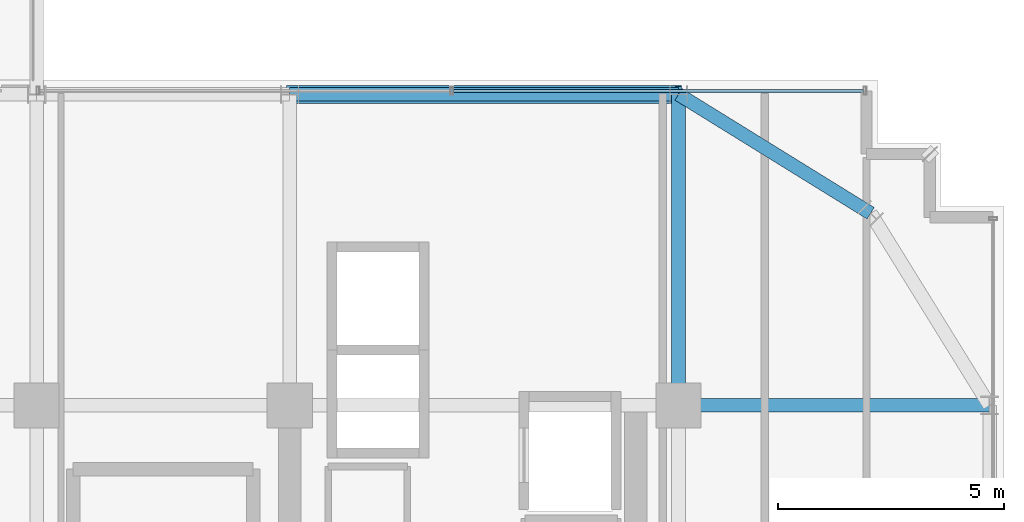
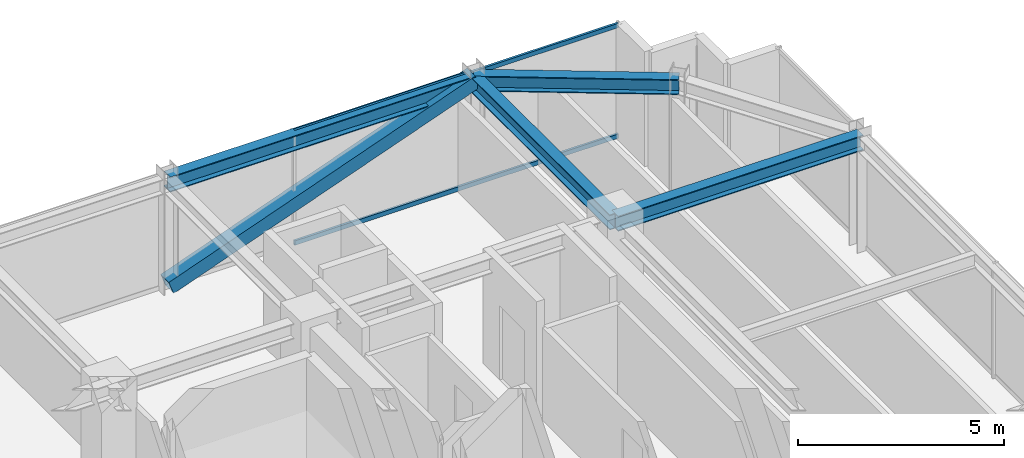
# One storey, part 25 of 41: 4 beams, 3 members, 1 element without a shape of its own.
"""IFC4 building model written with IfcOpenShell, lengths in metres."""

import ifcopenshell
import ifcopenshell.guid

model = None  # the IFC model being written
_history = None  # IfcOwnerHistory: only IFC2X3 demands one
_inside = {}  # id of a spatial element -> (the spatial element, [elements in it])
_under = {}  # id of a project, library or spatial element -> (it, [spatial elements below it])
_declared = {}  # id of a project -> (the project, [libraries it declares])
_typed = {}  # id of a type object -> (the type object, [elements of that type])
_made_of = {}  # id of a material, layer set ... -> (it, [elements and type objects made of it])


def new_model(schema):
    """Start an empty IFC model of exactly this schema.

    Asked for "IFC4X3", IfcOpenShell would pick the latest addendum, in which some entities
    have other attributes; the version numbers below select the first issue.
    IFC2X3 requires an IfcOwnerHistory on every rooted entity: one is made here for all.
    """
    global model, _history
    if schema == "IFC4X3":
        model = ifcopenshell.file(schema_version=(4, 3, 0, 0))
    else:
        model = ifcopenshell.file(schema=schema)
    _inside.clear()
    _under.clear()
    _declared.clear()
    _typed.clear()
    _made_of.clear()
    _history = None
    if model.schema == "IFC2X3":
        org = make("IfcOrganization", Name="unknown")
        user = make(
            "IfcPersonAndOrganization",
            ThePerson=make("IfcPerson", FamilyName="unknown"),
            TheOrganization=org,
        )
        app = make(
            "IfcApplication",
            ApplicationDeveloper=org,
            Version="unknown",
            ApplicationFullName="unknown",
            ApplicationIdentifier="unknown",
        )
        _history = make(
            "IfcOwnerHistory",
            OwningUser=user,
            OwningApplication=app,
            ChangeAction="ADDED",
            CreationDate=0,
        )
    return model


def make(cls, **values):
    """One entity of the class cls with the attributes given. An attribute that is None is left unset."""
    return model.create_entity(
        cls, **{name: value for name, value in values.items() if value is not None}
    )


def rooted(cls, **values):
    """An entity with a GlobalId (a new one), such as an element, a storey or a relation."""
    return make(cls, GlobalId=ifcopenshell.guid.new(), OwnerHistory=_history, **values)


def si_unit(unit_type, name, prefix=None):
    """IfcSIUnit, for example si_unit("LENGTHUNIT", "METRE", prefix="MILLI")."""
    return make("IfcSIUnit", UnitType=unit_type, Prefix=prefix, Name=name)


def assignment(units):
    """IfcUnitAssignment: the units of a project."""
    return None if units is None else make("IfcUnitAssignment", Units=units)


def point(xyz):
    """IfcCartesianPoint."""
    return None if xyz is None else make("IfcCartesianPoint", Coordinates=xyz)


def direction(xyz):
    """IfcDirection."""
    return None if xyz is None else make("IfcDirection", DirectionRatios=xyz)


def frame(location, z_axis=None, x_axis=None):
    """IfcAxis2Placement3D, a coordinate frame: its origin and axes. An axis left out is left unset."""
    return make(
        "IfcAxis2Placement3D",
        Location=point(location),
        Axis=direction(z_axis),
        RefDirection=direction(x_axis),
    )


def frame_2d(location, x_axis=None):
    """IfcAxis2Placement2D, a coordinate frame in the plane: its origin and x axis."""
    return make(
        "IfcAxis2Placement2D", Location=point(location), RefDirection=direction(x_axis)
    )


def origin():
    """The frame at (0, 0, 0) with its axes left unset."""
    return frame((0.0, 0.0, 0.0))


def origin_2d():
    """The frame at (0, 0) in the plane with its x axis left unset."""
    return frame_2d((0.0, 0.0))


def place(relative_to, where):
    """IfcLocalPlacement: puts the frame where relative to a parent placement (None: the world)."""
    return make(
        "IfcLocalPlacement", PlacementRelTo=relative_to, RelativePlacement=where
    )


def context(
    kind, dimensions, precision=None, world=None, true_north=None, identifier=None
):
    """IfcGeometricRepresentationContext, for example the 3D "Model" context."""
    return make(
        "IfcGeometricRepresentationContext",
        ContextIdentifier=identifier,
        ContextType=kind,
        CoordinateSpaceDimension=dimensions,
        Precision=precision,
        WorldCoordinateSystem=world,
        TrueNorth=true_north,
    )


def subcontext(parent, identifier, kind, view, scale=None):
    """IfcGeometricRepresentationSubContext, for example "Body" below "Model"."""
    return make(
        "IfcGeometricRepresentationSubContext",
        ContextIdentifier=identifier,
        ContextType=kind,
        ParentContext=parent,
        TargetScale=scale,
        TargetView=view,
    )


def project(units=None, contexts=None):
    """IfcProject with its units and contexts."""
    return rooted(
        "IfcProject",
        Name="project",
        RepresentationContexts=contexts,
        UnitsInContext=assignment(units),
    )


def spatial(cls, under=None, at=None, **own):
    """A site, building, storey or space (cls), placed at a placement, below another one or the project."""
    s = rooted(cls, ObjectPlacement=at, **own)
    if under is not None:
        _under.setdefault(under.id(), (under, []))[1].append(s)
    return s


def profile(cls, at=None, kind="AREA", **sizes):
    """A parametric profile (cls). Its sizes go by their IFC names, for example OverallWidth=200.0."""
    return make(cls, ProfileType=kind, Position=at, **sizes)


def hollow_rectangle(**sizes):
    """IfcRectangleHollowProfileDef."""
    return profile("IfcRectangleHollowProfileDef", **sizes)


def i_section(**sizes):
    """IfcIShapeProfileDef."""
    return profile("IfcIShapeProfileDef", **sizes)


def extrude(swept, where, along, depth):
    """IfcExtrudedAreaSolid: the profile swept, set in the frame where, extruded along a direction by depth."""
    return make(
        "IfcExtrudedAreaSolid",
        SweptArea=swept,
        Position=where,
        ExtrudedDirection=direction(along),
        Depth=depth,
    )


def shape(context_of_items, identifier, shape_type, items):
    """IfcShapeRepresentation: the items that make up one representation, for example the "Body"."""
    return make(
        "IfcShapeRepresentation",
        ContextOfItems=context_of_items,
        RepresentationIdentifier=identifier,
        RepresentationType=shape_type,
        Items=items,
    )


def source(mapping_origin, context_of_items, identifier, shape_type, items):
    """IfcRepresentationMap: a shape defined once, which mapped items show again and again."""
    return make(
        "IfcRepresentationMap",
        MappingOrigin=mapping_origin,
        MappedRepresentation=shape(context_of_items, identifier, shape_type, items),
    )


def transform(
    local_origin,
    x_axis=None,
    y_axis=None,
    z_axis=None,
    scale=None,
    scale2=None,
    scale3=None,
    uniform=True,
):
    """IfcCartesianTransformationOperator3D, or its non-uniform kind. x_axis, y_axis, z_axis: its Axis1, 2, 3."""
    if uniform:
        return make(
            "IfcCartesianTransformationOperator3D",
            Axis1=direction(x_axis),
            Axis2=direction(y_axis),
            LocalOrigin=point(local_origin),
            Scale=scale,
            Axis3=direction(z_axis),
        )
    return make(
        "IfcCartesianTransformationOperator3DnonUniform",
        Axis1=direction(x_axis),
        Axis2=direction(y_axis),
        LocalOrigin=point(local_origin),
        Scale=scale,
        Axis3=direction(z_axis),
        Scale2=scale2,
        Scale3=scale3,
    )


def mapped(mapping_source, mapping_target):
    """IfcMappedItem: shows the shape of a source again, moved by a transform."""
    return make(
        "IfcMappedItem", MappingSource=mapping_source, MappingTarget=mapping_target
    )


def material(Name=None, Category=None):
    """IfcMaterial."""
    return make("IfcMaterial", Name=Name, Category=Category)


def material_profile(
    of_material, cross_section, Name=None, Category=None, Priority=None
):
    """IfcMaterialProfile: a cross section and its material."""
    return make(
        "IfcMaterialProfile",
        Name=Name,
        Material=of_material,
        Profile=cross_section,
        Priority=Priority,
        Category=Category,
    )


def profile_set(profiles, Name=None, composite=None):
    """IfcMaterialProfileSet."""
    return make(
        "IfcMaterialProfileSet",
        Name=Name,
        MaterialProfiles=profiles,
        CompositeProfile=composite,
    )


def made_of(thing, what):
    """Note that an element or type object is made of a material, layer set ...; save() writes the relation."""
    if what is not None:
        _made_of.setdefault(what.id(), (what, []))[1].append(thing)
    return thing


def type_object(cls, material=None, **own):
    """A type object (cls), such as IfcWallType, which elements share."""
    return made_of(rooted(cls, **own), material)


def element(
    cls,
    number,
    at=None,
    inside=None,
    cuts=None,
    type_object=None,
    material=None,
    context=None,
    identifier="Body",
    shape_type=None,
    held_by="IfcProductDefinitionShape",
    body=None,
    shapes=None,
    **own,
):
    """One element of the class cls, such as IfcWall. Its Tag is "e" and its number.

    at: its placement. inside: the storey or other place that contains it. cuts: it is an
    opening in that element (IfcRelVoidsElement). A single representation is given by context,
    identifier, shape_type and body (its items); several are given by shapes. held_by: the class
    of the entity that holds the representations. save() writes the other relations.
    """
    e = rooted(cls, Tag="e%d" % number, ObjectPlacement=at, **own)
    if body is not None:
        shapes = [shape(context, identifier, shape_type, body)]
    if shapes is not None:
        e.Representation = make(held_by, Representations=shapes)
    if inside is not None:
        _inside.setdefault(inside.id(), (inside, []))[1].append(e)
    if cuts is not None:
        rooted(
            "IfcRelVoidsElement", RelatingBuildingElement=cuts, RelatedOpeningElement=e
        )
    if type_object is not None:
        _typed.setdefault(type_object.id(), (type_object, []))[1].append(e)
    return made_of(e, material)


def aggregate(whole, parts):
    """IfcRelAggregates: a whole, such as a stair, and the parts it consists of."""
    return rooted("IfcRelAggregates", RelatingObject=whole, RelatedObjects=parts)


def save(model, path):
    """Write the relations noted so far, then the file.

    IfcRelAggregates (storeys below a building ...), IfcRelContainedInSpatialStructure (elements
    in a storey), IfcRelDefinesByType, IfcRelAssociatesMaterial and IfcRelDeclares: one each for
    every whole, place, type object, material and project.
    """
    for whole, parts in _under.values():
        aggregate(whole, parts)
    for where, things in _inside.values():
        rooted(
            "IfcRelContainedInSpatialStructure",
            RelatedElements=things,
            RelatingStructure=where,
        )
    for kind, things in _typed.values():
        rooted("IfcRelDefinesByType", RelatedObjects=things, RelatingType=kind)
    for what, things in _made_of.values():
        rooted("IfcRelAssociatesMaterial", RelatedObjects=things, RelatingMaterial=what)
    for by, libraries in _declared.values():
        rooted("IfcRelDeclares", RelatingContext=by, RelatedDefinitions=libraries)
    model.write(path)


model = new_model("IFC4")

# Units and contexts
model_context = context("Model", 3, precision=1e-05, world=origin(), true_north=direction((0.0, 1.0)))
body_context = subcontext(model_context, "Body", "Model", "MODEL_VIEW")
ifc_project = project(units=[si_unit("LENGTHUNIT", "METRE"), si_unit("AREAUNIT", "SQUARE_METRE"), si_unit("VOLUMEUNIT", "CUBIC_METRE"), si_unit("PLANEANGLEUNIT", "RADIAN"), si_unit("MASSUNIT", "GRAM", prefix="KILO")], contexts=[model_context])

# Site, building, storey
site_placement = place(None, origin())
site = spatial("IfcSite", under=ifc_project, at=site_placement, CompositionType="ELEMENT")
building_placement = place(site_placement, origin())
building = spatial("IfcBuilding", under=site, at=building_placement, Name="Nahalor Promenade Grand Hotel", CompositionType="ELEMENT")
storey_placement = place(building_placement, frame((0.0, 0.0, 227.10009765625)))
storey = spatial("IfcBuildingStorey", under=building, at=storey_placement, Name="L58", CompositionType="ELEMENT", Elevation=227.10009765625)

# Beams
ifc_material_1 = material(Name="Steel S355JR", Category="steel")
ifc_material_profile_1 = material_profile(ifc_material_1, i_section(OverallWidth=0.3, OverallDepth=0.45, WebThickness=0.014, FlangeThickness=0.026, at=origin_2d()), Name="HEB 450")
ifc_profile_set_1 = profile_set([ifc_material_profile_1], Name="Steel S355JR")
beam_type_1 = type_object("IfcBeamType", Name="Beam-Spandrel-HEB450", PredefinedType="SPANDREL", material=ifc_profile_set_1)
shared_shape_1 = source(origin(), body_context, "Body", "SweptSolid", [
    extrude(i_section(OverallWidth=0.3, OverallDepth=0.45, WebThickness=0.014, FlangeThickness=0.026, at=origin_2d()), origin(), (0.0, 0.0, 1.0), 8.60009765625),
])
beam_1_placement = place(storey_placement, frame((8.39990234375, 23.8798828125, 3.184814453125), z_axis=(1.0, 0.0, 0.0), x_axis=(0.0, 1.0, 0.0)))
element("IfcBeam", 1, at=beam_1_placement, inside=storey, type_object=beam_type_1, Name="BM-L58-SP-N-4", PredefinedType="SPANDREL", context=body_context, shape_type="MappedRepresentation", body=[
    mapped(shared_shape_1, transform((0.0, 0.0, 0.0), scale=1.0)),
])
shared_shape_2 = source(origin(), body_context, "Body", "SweptSolid", [
    extrude(i_section(OverallWidth=0.3, OverallDepth=0.45, WebThickness=0.014, FlangeThickness=0.026, at=origin_2d()), origin(), (0.0, 0.0, 1.0), 4.997802734375),
])
beam_2_placement = place(storey_placement, frame((17.0, 23.8798828125, 3.184814453125), z_axis=(0.850360908404, -0.526199891161, 0.0), x_axis=(0.526199891161, 0.850360908404, 0.0)))
element("IfcBeam", 2, at=beam_2_placement, inside=storey, type_object=beam_type_1, Name="BM-L58-SPC-NE-1", PredefinedType="SPANDREL", context=body_context, shape_type="MappedRepresentation", body=[
    mapped(shared_shape_2, transform((0.0, 0.0, 0.0), scale=1.0)),
])
ifc_material_profile_2 = material_profile(ifc_material_1, i_section(OverallWidth=0.3, OverallDepth=0.45, WebThickness=0.014, FlangeThickness=0.026, at=origin_2d()), Name="HEB 450")
ifc_profile_set_2 = profile_set([ifc_material_profile_2], Name="Steel S355JR")
beam_type_2 = type_object("IfcBeamType", Name="Beam-Girder-HEB450", PredefinedType="BEAM", material=ifc_profile_set_2)
shared_shape_3 = source(origin(), body_context, "Body", "SweptSolid", [
    extrude(i_section(OverallWidth=0.3, OverallDepth=0.45, WebThickness=0.014, FlangeThickness=0.026, at=origin_2d()), origin(), (0.0, 0.0, 1.0), 6.8798828125),
])
for number, where, z_axis, x_axis, name in (
    (3, (17.0, 17.0, 3.184814453125), (1.0, 0.0, 0.0), (0.0, 1.0, 0.0), "BM-L58-GX-3-6"),
    (4, (17.0, 17.0, 3.184814453125), (0.0, 1.0, 0.0), (-1.0, 0.0, 0.0), "BM-L58-GY-5-4"),
):
    element("IfcBeam", number, at=place(storey_placement, frame(where, z_axis=z_axis, x_axis=x_axis)), inside=storey, type_object=beam_type_2, Name=name, PredefinedType="BEAM", context=body_context, shape_type="MappedRepresentation", body=[
        mapped(shared_shape_3, transform((0.0, 0.0, 0.0), scale=1.0)),
    ])

# Member
ifc_material_profile_3 = material_profile(ifc_material_1, hollow_rectangle(XDim=0.4, YDim=0.4, WallThickness=0.022, at=origin_2d()), Name="SHS 400x400x22")
ifc_profile_set_3 = profile_set([ifc_material_profile_3], Name="Steel S355JR")
member_type_1 = type_object("IfcMemberType", Name="Mem-ExoBrace-SHS400", PredefinedType="BRACE", material=ifc_profile_set_3)
shared_shape_4 = source(origin(), body_context, "Body", "SweptSolid", [
    extrude(hollow_rectangle(XDim=0.4, YDim=0.4, WallThickness=0.022, at=origin_2d()), origin(), (0.0, 0.0, 1.0), 9.145263671875),
])
member_1_placement = place(storey_placement, frame((8.39990234375, 23.8798828125, 0.14990234375), z_axis=(0.940396027132, 0.0, 0.340081331676), x_axis=(0.0, 1.0, 0.0)))
element("IfcMember", 5, at=member_1_placement, inside=storey, type_object=member_type_1, Name="EXO-L58-N-1", PredefinedType="BRACE", context=body_context, shape_type="MappedRepresentation", body=[
    mapped(shared_shape_4, transform((0.0, 0.0, 0.0), scale=1.0)),
])

# Curtain wall, members
ifc_material_2 = material(Name="Anodised Bronze Aluminium EN AW-6063 T6", Category="aluminium")
curtain_wall_type = type_object("IfcCurtainWallType", Name="CW2 Typical Hotel Flush Bronze Unitised Curtain Wall", PredefinedType="USERDEFINED", material=ifc_material_2)
curtain_wall_placement = place(storey_placement, origin())
curtain_wall = element("IfcCurtainWall", 6, at=curtain_wall_placement, inside=storey, type_object=curtain_wall_type, Name="L58 Curtain Wall CW-L58-N-3", ObjectType="UNITISED_CURTAIN_WALL", PredefinedType="USERDEFINED")
ifc_material_profile_4 = material_profile(ifc_material_2, hollow_rectangle(XDim=0.065, YDim=0.13, WallThickness=0.004, at=origin_2d()), Name="CWT 65x130x4")
ifc_profile_set_4 = profile_set([ifc_material_profile_4], Name="Anodised Bronze Aluminium EN AW-6063 T6")
member_type_2 = type_object("IfcMemberType", Name="CWT2 Typical Bronze Transom 65x130", PredefinedType="USERDEFINED", material=ifc_profile_set_4)
shared_shape_5 = source(origin(), body_context, "Body", "SweptSolid", [
    extrude(hollow_rectangle(XDim=0.065, YDim=0.13, WallThickness=0.004, at=origin_2d()), origin(), (0.0, 0.0, 1.0), 9.08251953125),
])
member_2_placement = place(storey_placement, frame((12.012451171875, 23.9599609375, 0.06494140625), z_axis=(1.0, 0.0, 0.0), x_axis=(0.0, 1.0, 0.0)))
member_2 = element("IfcMember", 7, at=member_2_placement, type_object=member_type_2, Name="CW-L58-N-3 Transom 1-0", ObjectType="TRANSOM", PredefinedType="USERDEFINED", context=body_context, shape_type="MappedRepresentation", body=[
    mapped(shared_shape_5, transform((0.0, 0.0, 0.0), scale=1.0)),
])
member_3_placement = place(storey_placement, frame((12.012451171875, 23.9599609375, 3.344970703125), z_axis=(1.0, 0.0, 0.0), x_axis=(0.0, 1.0, 0.0)))
member_3 = element("IfcMember", 8, at=member_3_placement, type_object=member_type_2, Name="CW-L58-N-3 Transom 1-1", ObjectType="TRANSOM", PredefinedType="USERDEFINED", context=body_context, shape_type="MappedRepresentation", body=[
    mapped(shared_shape_5, transform((0.0, 0.0, 0.0), scale=1.0)),
])
aggregate(curtain_wall, [member_2, member_3])

save(model, "model.ifc")
